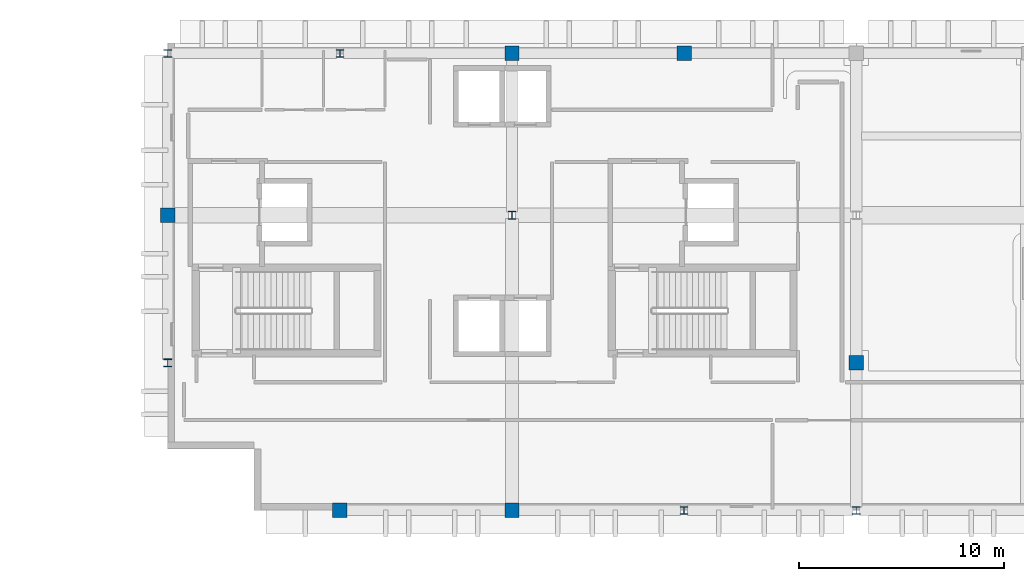
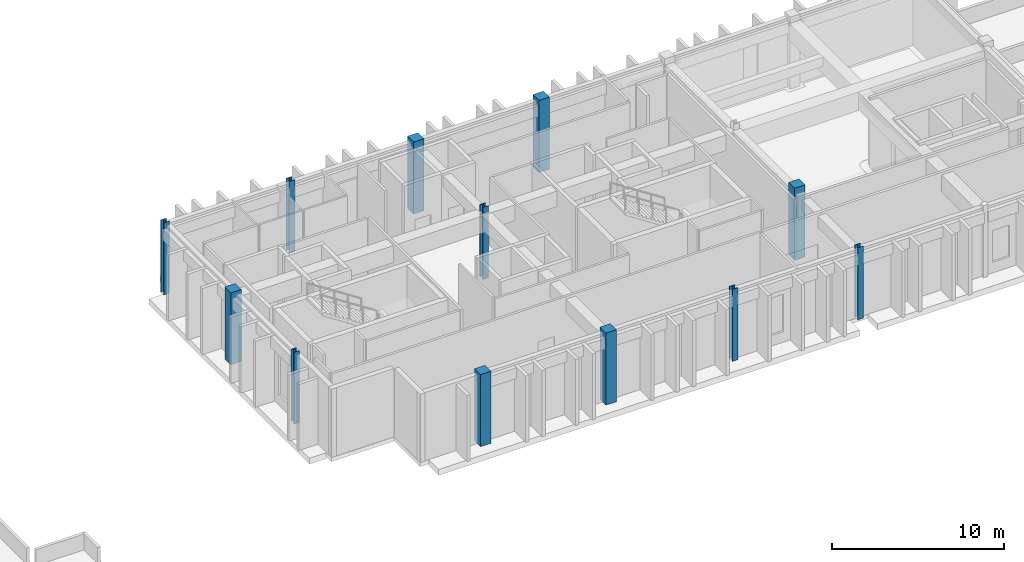
# One storey, part 1 of 9: 12 columns.
"""IFC4 building model written with IfcOpenShell, lengths in metres."""

from ifc_helpers import new_model, si_unit, direction, frame, origin, origin_2d, place, context, subcontext, project, spatial, rectangle, i_section, extrude, material, material_profile, profile_set, type_object, element, save


model = new_model("IFC4")

# Units and contexts
model_context = context("Model", 3, precision=1e-05, world=origin(), true_north=direction((0.0, 1.0)))
body_context = subcontext(model_context, "Body", "Model", "MODEL_VIEW")
ifc_project = project(units=[si_unit("LENGTHUNIT", "METRE"), si_unit("AREAUNIT", "SQUARE_METRE"), si_unit("VOLUMEUNIT", "CUBIC_METRE"), si_unit("PLANEANGLEUNIT", "RADIAN"), si_unit("MASSUNIT", "GRAM", prefix="KILO")], contexts=[model_context])

# Site, building, storey
site_placement = place(None, origin())
site = spatial("IfcSite", under=ifc_project, at=site_placement, CompositionType="ELEMENT")
building_placement = place(site_placement, origin())
building = spatial("IfcBuilding", under=site, at=building_placement, Name="Quendrovan Civic Courthouse", CompositionType="ELEMENT")
storey_placement = place(building_placement, frame((0.0, 0.0, 30.60009765625)))
storey = spatial("IfcBuildingStorey", under=building, at=storey_placement, Name="L07", CompositionType="ELEMENT", Elevation=30.60009765625)

# Columns
ifc_material_1 = material(Name="Concrete C45/55", Category="concrete")
ifc_material_profile_1 = material_profile(ifc_material_1, rectangle(XDim=0.699951171875, YDim=0.699951171875, at=origin_2d()), Name="RC-COL-700x700")
ifc_profile_set_1 = profile_set([ifc_material_profile_1], Name="Concrete C45/55")
column_type_1 = type_object("IfcColumnType", Name="COL-RC700", PredefinedType="COLUMN", material=ifc_profile_set_1)
for number, where, z_axis, x_axis, name in (
    (1, (33.60009765625, 102.0, 0.0), (0.0, 0.0, 1.0), (1.0, 0.0, 0.0), "L07 Column 5-P"),
    (2, (42.0, 87.60009765625, 0.0), (0.0, 0.0, 1.0), (1.0, 0.0, 0.0), "L07 Column 6-M"),
    (3, (50.39990234375, 87.60009765625, 0.0), (0.0, 0.0, 1.0), (1.0, 0.0, 0.0), "L07 Column 7-M"),
    (4, (50.39990234375, 109.89990234375, 0.0), (0.0, 0.0, 1.0), (1.0, 0.0, 0.0), "L07 Column 7-Q"),
    (5, (58.800048828125, 109.89990234375, 0.0), (0.0, 0.0, 1.0), (1.0, 0.0, 0.0), "L07 Column 8-Q"),
    (6, (67.199951171875, 94.800048828125, 0.0), (0.0, 0.0, 1.0), (1.0, 0.0, 0.0), "L07 Column 9-N"),
):
    element("IfcColumn", number, at=place(storey_placement, frame(where, z_axis=z_axis, x_axis=x_axis)), inside=storey, type_object=column_type_1, Name=name, PredefinedType="COLUMN", context=body_context, shape_type="SweptSolid", body=[
        extrude(rectangle(XDim=0.699951171875, YDim=0.699951171875, at=origin_2d()), origin(), (0.0, 0.0, 1.0), 5.099853515625),
    ])
ifc_material_2 = material(Name="Steel ASTM A992 Grade 50", Category="steel")
ifc_material_profile_2 = material_profile(ifc_material_2, i_section(OverallWidth=0.3740234375, OverallDepth=0.3720703125, WebThickness=0.016357421875, FlangeThickness=0.026123046875, at=origin_2d()), Name="W14X132")
ifc_profile_set_2 = profile_set([ifc_material_profile_2], Name="Steel ASTM A992 Grade 50")
column_type_2 = type_object("IfcColumnType", Name="COL-STL-W14X132", PredefinedType="COLUMN", material=ifc_profile_set_2)
for number, where, z_axis, x_axis, name in (
    (7, (33.60009765625, 94.800048828125, 0.0), (0.0, 0.0, 1.0), (1.0, 0.0, 0.0), "L07 Column 5-N"),
    (8, (33.60009765625, 109.89990234375, 0.0), (0.0, 0.0, 1.0), (1.0, 0.0, 0.0), "L07 Column 5-Q"),
    (9, (42.0, 109.89990234375, 0.0), (0.0, 0.0, 1.0), (1.0, 0.0, 0.0), "L07 Column 6-Q"),
    (10, (50.39990234375, 102.0, 0.0), (0.0, 0.0, 1.0), (1.0, 0.0, 0.0), "L07 Column 7-P"),
    (11, (58.800048828125, 87.60009765625, 0.0), (0.0, 0.0, 1.0), (1.0, 0.0, 0.0), "L07 Column 8-M"),
    (12, (67.199951171875, 87.60009765625, 0.0), (0.0, 0.0, 1.0), (1.0, 0.0, 0.0), "L07 Column 9-M"),
):
    element("IfcColumn", number, at=place(storey_placement, frame(where, z_axis=z_axis, x_axis=x_axis)), inside=storey, type_object=column_type_2, Name=name, PredefinedType="COLUMN", context=body_context, shape_type="SweptSolid", body=[
        extrude(i_section(OverallWidth=0.3740234375, OverallDepth=0.3720703125, WebThickness=0.016357421875, FlangeThickness=0.026123046875, at=origin_2d()), origin(), (0.0, 0.0, 1.0), 5.099853515625),
    ])

save(model, "model.ifc")
